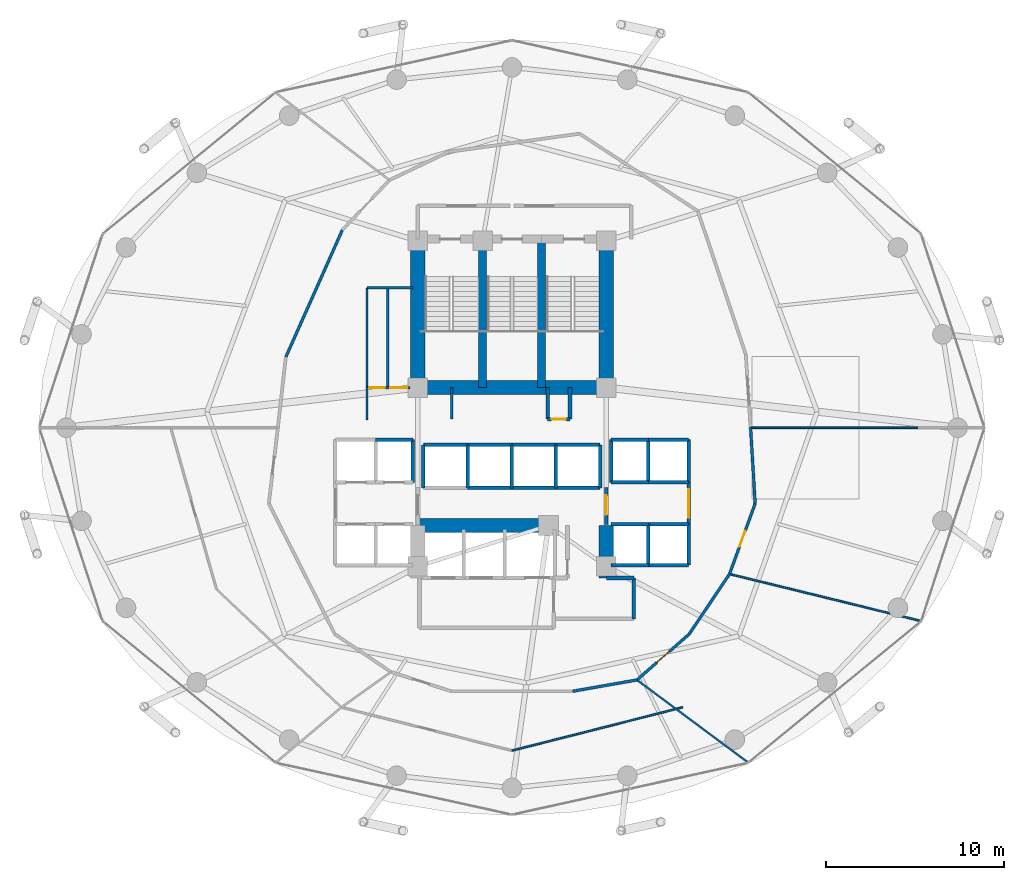
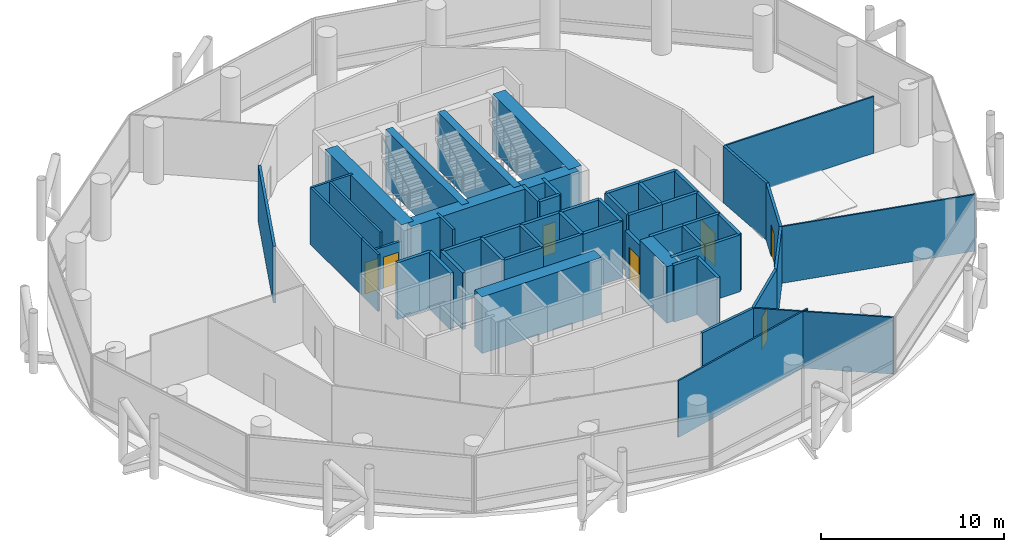
# One storey, part 22 of 24: 57 walls, 7 doors, 7 openings.
"""IFC4 building model written with IfcOpenShell, lengths in metres."""

from ifc_helpers import new_model, si_unit, direction, frame, frame_2d, origin, place, context, subcontext, project, spatial, rectangle, extrude, material, layer, layer_set, type_object, element, fill, save


model = new_model("IFC4")

# Units and contexts
model_context = context("Model", 3, precision=1e-05, world=origin(), true_north=direction((0.0, 1.0)))
body_context = subcontext(model_context, "Body", "Model", "MODEL_VIEW")
ifc_project = project(units=[si_unit("LENGTHUNIT", "METRE"), si_unit("AREAUNIT", "SQUARE_METRE"), si_unit("VOLUMEUNIT", "CUBIC_METRE"), si_unit("PLANEANGLEUNIT", "RADIAN"), si_unit("MASSUNIT", "GRAM", prefix="KILO")], contexts=[model_context])

# Site, building, storey
site_placement = place(None, origin())
site = spatial("IfcSite", under=ifc_project, at=site_placement, CompositionType="ELEMENT")
building_placement = place(site_placement, origin())
building = spatial("IfcBuilding", under=site, at=building_placement, Name="Nuhasar Tower", CompositionType="ELEMENT")
storey_placement = place(building_placement, frame((0.0, 0.0, 37.199951171875)))
storey = spatial("IfcBuildingStorey", under=building, at=storey_placement, Name="L08", CompositionType="ELEMENT", Elevation=37.199951171875)

# Walls
ifc_material_1 = material(Name="Concrete C50/60", Category="concrete")
ifc_layer_1 = layer(ifc_material_1, 0.449951171875)
ifc_layer_set_1 = layer_set([ifc_layer_1], Name="Concrete C50/60")
wall_type_1 = type_object("IfcWallType", Name="WL-CORE-450", PredefinedType="SHEAR", material=ifc_layer_set_1)
for number, where, z_axis, x_axis, name in (
    (1, (37.35009765625, 29.050048828125, 0.0), (0.0, 0.0, 1.0), (0.0, 1.0, 0.0), "L08 Stairwell Shear Wall ST01-E"),
    (2, (40.64990234375, 29.050048828125, 0.0), (0.0, 0.0, 1.0), (0.0, 1.0, 0.0), "L08 Stairwell Shear Wall ST03-E"),
):
    element("IfcWall", number, at=place(storey_placement, frame(where, z_axis=z_axis, x_axis=x_axis)), inside=storey, type_object=wall_type_1, Name=name, PredefinedType="SHEAR", context=body_context, shape_type="SweptSolid", body=[
        extrude(rectangle(XDim=8.349853515625, YDim=0.449951171875, at=frame_2d((4.1748046875, 0.0))), origin(), (0.0, 0.0, 1.0), 3.7900390625),
    ])
ifc_material_2 = material(Name="Concrete C80/95", Category="concrete")
ifc_layer_2 = layer(ifc_material_2, 0.800048828125)
ifc_layer_set_2 = layer_set([ifc_layer_2], Name="Concrete C80/95")
wall_type_2 = type_object("IfcWallType", Name="WL-CORE-800", PredefinedType="SHEAR", material=ifc_layer_set_2)
for number, where, z_axis, x_axis, name in (
    (3, (33.699951171875, 29.050048828125, 0.0), (0.0, 0.0, 1.0), (0.0, 1.0, 0.0), "L08 Core Shear Wall CW-NW CW-800"),
    (4, (44.300048828125, 29.050048828125, 0.0), (0.0, 0.0, 1.0), (0.0, 1.0, 0.0), "L08 Core Shear Wall CW-NE CW-800"),
):
    element("IfcWall", number, at=place(storey_placement, frame(where, z_axis=z_axis, x_axis=x_axis)), inside=storey, type_object=wall_type_2, Name=name, PredefinedType="SHEAR", context=body_context, shape_type="SweptSolid", body=[
        extrude(rectangle(XDim=8.349853515625, YDim=0.800048828125, at=frame_2d((4.1748046875, 0.0))), origin(), (0.0, 0.0, 1.0), 3.7900390625),
    ])
wall_1_placement = place(storey_placement, frame((44.300048828125, 18.35009765625, 0.0), z_axis=(0.0, 0.0, 1.0), x_axis=(0.0, 1.0, 0.0)))
element("IfcWall", 5, at=wall_1_placement, inside=storey, type_object=wall_type_2, Name="L08 Core Shear Wall CW-SE CW-800", PredefinedType="SHEAR", context=body_context, shape_type="SweptSolid", body=[
    extrude(rectangle(XDim=2.949951171875, YDim=0.800048828125, at=frame_2d((1.47509765625, 0.0))), origin(), (0.0, 0.0, 1.0), 3.7900390625),
])
wall_2_placement = place(storey_placement, frame((33.699951171875, 29.050048828125, 0.0), z_axis=(0.0, 0.0, 1.0), x_axis=(1.0, 0.0, 0.0)))
element("IfcWall", 6, at=wall_2_placement, inside=storey, type_object=wall_type_2, Name="L08 Core Shear Wall CW-N1 CW-800", PredefinedType="SHEAR", context=body_context, shape_type="SweptSolid", body=[
    extrude(rectangle(XDim=10.60009765625, YDim=0.800048828125, at=frame_2d((5.300048828125, 0.0))), origin(), (0.0, 0.0, 1.0), 3.7900390625),
])
wall_3_placement = place(storey_placement, frame((33.699951171875, 21.300048828125, 0.0), z_axis=(0.0, 0.0, 1.0), x_axis=(1.0, 0.0, 0.0)))
element("IfcWall", 7, at=wall_3_placement, inside=storey, type_object=wall_type_2, Name="L08 Core Shear Wall CW-S1 CW-800", PredefinedType="SHEAR", context=body_context, shape_type="SweptSolid", body=[
    extrude(rectangle(XDim=7.550048828125, YDim=0.800048828125, at=frame_2d((3.77490234375, 0.0))), origin(), (0.0, 0.0, 1.0), 3.7900390625),
])
ifc_material_3 = material(Name="Gypsum Board", Category="gypsum")
ifc_layer_3 = layer(ifc_material_3, 0.159912109375)
ifc_layer_set_3 = layer_set([ifc_layer_3], Name="Gypsum Board")
wall_type_3 = type_object("IfcWallType", Name="WL-CORR-160", PredefinedType="PARTITIONING", material=ifc_layer_set_3)
wall_4_placement = place(storey_placement, frame((29.466064453125, 37.9130859375, 0.0), z_axis=(0.0, 0.0, 1.0), x_axis=(-0.406489021754, -0.913655665551, 0.0)))
element("IfcWall", 8, at=wall_4_placement, inside=storey, type_object=wall_type_3, Name="L08 Interior Partition CORR-18", PredefinedType="PARTITIONING", context=body_context, shape_type="SweptSolid", body=[
    extrude(rectangle(XDim=7.818115234375, YDim=0.159912109375, at=frame_2d((3.9091796875, 0.0))), origin(), (0.0, 0.0, 1.0), 3.7900390625),
])
wall_5_placement = place(storey_placement, frame((42.406005859375, 11.98291015625, 0.0), z_axis=(0.0, 0.0, 1.0), x_axis=(0.98489842452, 0.173133166602, 0.0)))
element("IfcWall", 9, at=wall_5_placement, inside=storey, type_object=wall_type_3, Name="L08 Interior Partition CORR-38", PredefinedType="PARTITIONING", context=body_context, shape_type="SweptSolid", body=[
    extrude(rectangle(XDim=3.67333984375, YDim=0.159912109375, at=frame_2d((1.836669921875, 0.0))), origin(), (0.0, 0.0, 1.0), 3.7900390625),
])

# Wall, opening, door
wall_6_placement = place(storey_placement, frame((48.95703125, 15.194091796875, 0.0), z_axis=(0.0, 0.0, 1.0), x_axis=(-0.751467454478, -0.659770160632, 0.0)))
wall_6 = element("IfcWall", 10, at=wall_6_placement, inside=storey, type_object=wall_type_3, Name="L08 Interior Partition CORR-40", PredefinedType="PARTITIONING", context=body_context, shape_type="SweptSolid", body=[
    extrude(rectangle(XDim=3.903076171875, YDim=0.159912109375, at=frame_2d((1.95166015625, 0.0))), origin(), (0.0, 0.0, 1.0), 3.7900390625),
])
opening_1_placement = place(wall_6_placement, frame((1.47607421875, 0.0, 0.0)))
opening_1 = element("IfcOpeningElement", 11, at=opening_1_placement, cuts=wall_6, Name="Opening DO-01", PredefinedType="OPENING", context=body_context, shape_type="SweptSolid", body=[
    extrude(rectangle(XDim=0.949951171875, YDim=2.14990234375, at=frame_2d((0.47509765625, 1.074951171875))), frame((0.0, 0.08984375, 0.0), z_axis=(0.0, -1.0, 0.0), x_axis=(1.0, 0.0, 0.0)), (0.0, 0.0, 1.0), 0.179931640625),
])
ifc_material_4 = material(Name="Timber Oak", Category="wood")
door_type_1 = type_object("IfcDoorType", Name="DR-OFFICE-FD30-950", OperationType="NOTDEFINED", PredefinedType="DOOR", material=ifc_material_4)
door_1_placement = place(opening_1_placement, origin())
door_1 = element("IfcDoor", 12, at=door_1_placement, inside=storey, type_object=door_type_1, Name="L08 Executive Dining Pantry Entry Door", OperationType="SINGLE_SWING_LEFT", OverallHeight=2.14990234375, OverallWidth=0.949951171875, PredefinedType="DOOR", context=body_context, shape_type="SweptSolid", body=[
    extrude(rectangle(XDim=0.949951171875, YDim=2.14990234375, at=frame_2d((0.47509765625, 1.074951171875))), frame((0.0, 0.02490234375, 0.0), z_axis=(0.0, -1.0, 0.0), x_axis=(1.0, 0.0, 0.0)), (0.0, 0.0, 1.0), 0.050048828125),
])
fill(opening_1, door_1)

# Wall
wall_7_placement = place(storey_placement, frame((48.95703125, 15.194091796875, 0.0), z_axis=(0.0, 0.0, 1.0), x_axis=(0.557769650613, 0.829995793276, 0.0)))
element("IfcWall", 13, at=wall_7_placement, inside=storey, type_object=wall_type_3, Name="L08 Interior Partition CORR-42", PredefinedType="PARTITIONING", context=body_context, shape_type="SweptSolid", body=[
    extrude(rectangle(XDim=4.06982421875, YDim=0.159912109375, at=frame_2d((2.034912109375, 0.0))), origin(), (0.0, 0.0, 1.0), 3.7900390625),
])

# Wall, opening, door
wall_8_placement = place(storey_placement, frame((52.6669921875, 22.531982421875, 0.0), z_axis=(0.0, 0.0, 1.0), x_axis=(-0.341733758737, -0.939796806836, 0.0)))
wall_8 = element("IfcWall", 14, at=wall_8_placement, inside=storey, type_object=wall_type_3, Name="L08 Interior Partition CORR-44", PredefinedType="PARTITIONING", context=body_context, shape_type="SweptSolid", body=[
    extrude(rectangle(XDim=4.213623046875, YDim=0.159912109375, at=frame_2d((2.10693359375, 0.0))), origin(), (0.0, 0.0, 1.0), 3.7900390625),
])
opening_2_placement = place(wall_8_placement, frame((1.632080078125, 0.0, 0.0)))
opening_2 = element("IfcOpeningElement", 15, at=opening_2_placement, cuts=wall_8, Name="Opening DO-01", PredefinedType="OPENING", context=body_context, shape_type="SweptSolid", body=[
    extrude(rectangle(XDim=0.949951171875, YDim=2.14990234375, at=frame_2d((0.47509765625, 1.074951171875))), frame((0.0, 0.08984375, 0.0), z_axis=(0.0, -1.0, 0.0), x_axis=(1.0, 0.0, 0.0)), (0.0, 0.0, 1.0), 0.179931640625),
])
door_2_placement = place(opening_2_placement, origin())
door_2 = element("IfcDoor", 16, at=door_2_placement, inside=storey, type_object=door_type_1, Name="L08 Records Vault Store Entry Door", OperationType="SINGLE_SWING_LEFT", OverallHeight=2.14990234375, OverallWidth=0.949951171875, PredefinedType="DOOR", context=body_context, shape_type="SweptSolid", body=[
    extrude(rectangle(XDim=0.949951171875, YDim=2.14990234375, at=frame_2d((0.47509765625, 1.074951171875))), frame((0.0, 0.02490234375, 0.0), z_axis=(0.0, -1.0, 0.0), x_axis=(1.0, 0.0, 0.0)), (0.0, 0.0, 1.0), 0.050048828125),
])
fill(opening_2, door_2)

# Wall
wall_9_placement = place(storey_placement, frame((52.6669921875, 22.531982421875, 0.0), z_axis=(0.0, 0.0, 1.0), x_axis=(-0.060124414151, 0.998190890974, 0.0)))
element("IfcWall", 17, at=wall_9_placement, inside=storey, type_object=wall_type_3, Name="L08 Interior Partition CORR-46", PredefinedType="PARTITIONING", context=body_context, shape_type="SweptSolid", body=[
    extrude(rectangle(XDim=4.27587890625, YDim=0.159912109375, at=frame_2d((2.137939453125, 0.0))), origin(), (0.0, 0.0, 1.0), 3.7900390625),
])

# Wall, opening, door
ifc_material_5 = material(Name="Concrete C45/55", Category="concrete")
ifc_layer_4 = layer(ifc_material_5, 0.199951171875)
ifc_layer_set_4 = layer_set([ifc_layer_4], Name="Concrete C45/55")
wall_type_4 = type_object("IfcWallType", Name="WL-LOBBY-200", PredefinedType="SOLIDWALL", material=ifc_layer_set_4)
wall_10_placement = place(storey_placement, frame((48.929931640625, 21.3798828125, 0.0), z_axis=(0.0, 0.0, 1.0), x_axis=(0.0, 1.0, 0.0)))
wall_10 = element("IfcWall", 18, at=wall_10_placement, inside=storey, type_object=wall_type_4, Name="L08 Interior Partition LLBM-E", PredefinedType="SOLIDWALL", context=body_context, shape_type="SweptSolid", body=[
    extrude(rectangle(XDim=2.340087890625, YDim=0.199951171875, at=frame_2d((1.169921875, 0.0))), origin(), (0.0, 0.0, 1.0), 3.7900390625),
])
opening_3_placement = place(wall_10_placement, frame((0.3701171875, 0.0, 0.0)))
opening_3 = element("IfcOpeningElement", 19, at=opening_3_placement, cuts=wall_10, Name="Opening DC-01", PredefinedType="OPENING", context=body_context, shape_type="SweptSolid", body=[
    extrude(rectangle(XDim=1.60009765625, YDim=2.199951171875, at=frame_2d((0.800048828125, 1.10009765625))), frame((0.0, 0.10986328125, 0.0), z_axis=(0.0, -1.0, 0.0), x_axis=(1.0, 0.0, 0.0)), (0.0, 0.0, 1.0), 0.219970703125),
])
ifc_material_6 = material(Name="Steel S355", Category="steel")
door_type_2 = type_object("IfcDoorType", Name="DR-CORR-FD60-1600", OperationType="DOUBLE_DOOR_SINGLE_SWING", PredefinedType="DOOR", material=ifc_material_6)
door_3_placement = place(opening_3_placement, origin())
door_3 = element("IfcDoor", 20, at=door_3_placement, inside=storey, type_object=door_type_2, Name="L08 Mid-Rise Lift Lobby East Entry", OperationType="DOUBLE_DOOR_SINGLE_SWING", OverallHeight=2.199951171875, OverallWidth=1.60009765625, PredefinedType="DOOR", context=body_context, shape_type="SweptSolid", body=[
    extrude(rectangle(XDim=1.60009765625, YDim=2.199951171875, at=frame_2d((0.800048828125, 1.10009765625))), frame((0.0, 0.02490234375, 0.0), z_axis=(0.0, -1.0, 0.0), x_axis=(1.0, 0.0, 0.0)), (0.0, 0.0, 1.0), 0.050048828125),
])
fill(opening_3, door_3)

wall_11_placement = place(storey_placement, frame((44.300048828125, 21.35009765625, 0.0), z_axis=(0.0, 0.0, 1.0), x_axis=(0.0, 1.0, 0.0)))
wall_11 = element("IfcWall", 21, at=wall_11_placement, inside=storey, type_object=wall_type_4, Name="L08 Interior Partition LLBH-E", PredefinedType="SOLIDWALL", context=body_context, shape_type="SweptSolid", body=[
    extrude(rectangle(XDim=2.099853515625, YDim=0.199951171875, at=frame_2d((1.0498046875, 0.0))), origin(), (0.0, 0.0, 1.0), 3.010009765625),
])
opening_4_placement = place(wall_11_placement, frame((0.550048828125, 0.0, 0.0)))
opening_4 = element("IfcOpeningElement", 22, at=opening_4_placement, cuts=wall_11, Name="Opening DS-02", PredefinedType="OPENING", context=body_context, shape_type="SweptSolid", body=[
    extrude(rectangle(XDim=1.10009765625, YDim=2.14990234375, at=frame_2d((0.550048828125, 1.074951171875))), frame((0.0, 0.10986328125, 0.0), z_axis=(0.0, -1.0, 0.0), x_axis=(1.0, 0.0, 0.0)), (0.0, 0.0, 1.0), 0.219970703125),
])
door_type_3 = type_object("IfcDoorType", Name="DR-FFL-FD120-1100", OperationType="NOTDEFINED", PredefinedType="DOOR", material=ifc_material_6)
door_4_placement = place(opening_4_placement, origin())
door_4 = element("IfcDoor", 23, at=door_4_placement, inside=storey, type_object=door_type_3, Name="L08 High-Rise Lobby East Door", OperationType="SINGLE_SWING_RIGHT", OverallHeight=2.14990234375, OverallWidth=1.10009765625, PredefinedType="DOOR", context=body_context, shape_type="SweptSolid", body=[
    extrude(rectangle(XDim=1.10009765625, YDim=2.14990234375, at=frame_2d((0.550048828125, 1.074951171875))), frame((0.0, 0.02490234375, 0.0), z_axis=(0.0, -1.0, 0.0), x_axis=(1.0, 0.0, 0.0)), (0.0, 0.0, 1.0), 0.050048828125),
])
fill(opening_4, door_4)

# Walls
wall_12_placement = place(storey_placement, frame((45.85009765625, 16.050048828125, 0.0), z_axis=(0.0, 0.0, 1.0), x_axis=(0.0, 1.0, 0.0)))
element("IfcWall", 24, at=wall_12_placement, inside=storey, type_object=wall_type_4, Name="L08 Interior Partition SVLV-E", PredefinedType="SOLIDWALL", context=body_context, shape_type="SweptSolid", body=[
    extrude(rectangle(XDim=2.300048828125, YDim=0.199951171875, at=frame_2d((1.14990234375, 0.0))), origin(), (0.0, 0.0, 1.0), 3.7900390625),
])
wall_13_placement = place(storey_placement, frame((44.300048828125, 18.35009765625, 0.0), z_axis=(0.0, 0.0, 1.0), x_axis=(1.0, 0.0, 0.0)))
element("IfcWall", 25, at=wall_13_placement, inside=storey, type_object=wall_type_4, Name="L08 Interior Partition SVLV-N", PredefinedType="SOLIDWALL", context=body_context, shape_type="SweptSolid", body=[
    extrude(rectangle(XDim=1.550048828125, YDim=0.199951171875, at=frame_2d((0.77490234375, 0.0))), origin(), (0.0, 0.0, 1.0), 3.7900390625),
])
ifc_material_7 = material(Name="Aluminium 6063-T6", Category="aluminium")
ifc_layer_5 = layer(ifc_material_7, 0.10009765625)
ifc_layer_set_5 = layer_set([ifc_layer_5], Name="Aluminium 6063-T6")
wall_type_5 = type_object("IfcWallType", Name="WL-MOVABLE-100", PredefinedType="MOVABLE", material=ifc_layer_set_5)
wall_14_placement = place(storey_placement, frame((52.409912109375, 26.800048828125, 0.0), z_axis=(0.0, 0.0, 1.0), x_axis=(1.0, 0.0, 0.0)))
element("IfcWall", 26, at=wall_14_placement, inside=storey, type_object=wall_type_5, Name="L08 Interior Partition ORAD-00", PredefinedType="MOVABLE", context=body_context, shape_type="SweptSolid", body=[
    extrude(rectangle(XDim=9.43017578125, YDim=0.10009765625, at=frame_2d((4.715087890625, 0.0))), origin(), (0.0, 0.0, 1.0), 3.7900390625),
])
wall_15_placement = place(storey_placement, frame((39.0, 8.64794921875, 0.0), z_axis=(0.0, 0.0, 1.0), x_axis=(0.96932580987, 0.245779320368, 0.0)))
element("IfcWall", 27, at=wall_15_placement, inside=storey, type_object=wall_type_5, Name="L08 Interior Partition OMID-04-36", PredefinedType="MOVABLE", context=body_context, shape_type="SweptSolid", body=[
    extrude(rectangle(XDim=9.8955078125, YDim=0.10009765625, at=frame_2d((4.94775390625, 0.0))), origin(), (0.0, 0.0, 1.0), 3.7900390625),
])
wall_16_placement = place(storey_placement, frame((46.02392578125, 12.618896484375, 0.0), z_axis=(0.0, 0.0, 1.0), x_axis=(0.802859849019, -0.596167814322, 0.0)))
element("IfcWall", 28, at=wall_16_placement, inside=storey, type_object=wall_type_5, Name="L08 Interior Partition ORAD-40", PredefinedType="MOVABLE", context=body_context, shape_type="SweptSolid", body=[
    extrude(rectangle(XDim=7.77099609375, YDim=0.10009765625, at=frame_2d((3.885498046875, 0.0))), origin(), (0.0, 0.0, 1.0), 3.7900390625),
])
wall_17_placement = place(storey_placement, frame((51.22705078125, 18.572021484375, 0.0), z_axis=(0.0, 0.0, 1.0), x_axis=(0.971216816961, -0.238197175574, 0.0)))
element("IfcWall", 29, at=wall_17_placement, inside=storey, type_object=wall_type_5, Name="L08 Interior Partition ORAD-44", PredefinedType="MOVABLE", context=body_context, shape_type="SweptSolid", body=[
    extrude(rectangle(XDim=11.062255859375, YDim=0.10009765625, at=frame_2d((5.53125, 0.0))), origin(), (0.0, 0.0, 1.0), 3.7900390625),
])
ifc_layer_6 = layer(ifc_material_5, 0.199951171875)
ifc_layer_set_6 = layer_set([ifc_layer_6], Name="Concrete C45/55")
wall_type_6 = type_object("IfcWallType", Name="WL-SHAFT-200", PredefinedType="SOLIDWALL", material=ifc_layer_set_6)
for number, where, z_axis, x_axis, name in (
    (30, (41.0, 27.280029296875, 0.0), (0.0, 0.0, 1.0), (0.0, 1.0, 0.0), "L08 Interior Partition RSRN-W"),
    (31, (42.260009765625, 27.280029296875, 0.0), (0.0, 0.0, 1.0), (0.0, 1.0, 0.0), "L08 Interior Partition RSRN-E"),
):
    element("IfcWall", number, at=place(storey_placement, frame(where, z_axis=z_axis, x_axis=x_axis)), inside=storey, type_object=wall_type_6, Name=name, PredefinedType="SOLIDWALL", context=body_context, shape_type="SweptSolid", body=[
        extrude(rectangle(XDim=1.77001953125, YDim=0.199951171875, at=frame_2d((0.885009765625, 0.0))), origin(), (0.0, 0.0, 1.0), 3.7900390625),
    ])

# Wall, opening, door
wall_18_placement = place(storey_placement, frame((41.0, 27.280029296875, 0.0), z_axis=(0.0, 0.0, 1.0), x_axis=(1.0, 0.0, 0.0)))
wall_18 = element("IfcWall", 32, at=wall_18_placement, inside=storey, type_object=wall_type_6, Name="L08 Interior Partition RSRN-S", PredefinedType="SOLIDWALL", context=body_context, shape_type="SweptSolid", body=[
    extrude(rectangle(XDim=1.260009765625, YDim=0.199951171875, at=frame_2d((0.6298828125, 0.0))), origin(), (0.0, 0.0, 1.0), 3.7900390625),
])
opening_5_placement = place(wall_18_placement, frame((0.22998046875, 0.0, 0.0)))
opening_5 = element("IfcOpeningElement", 33, at=opening_5_placement, cuts=wall_18, Name="Opening DM-01", PredefinedType="OPENING", context=body_context, shape_type="SweptSolid", body=[
    extrude(rectangle(XDim=0.800048828125, YDim=2.050048828125, at=frame_2d((0.39990234375, 1.02490234375))), frame((0.0, 0.10986328125, 0.0), z_axis=(0.0, -1.0, 0.0), x_axis=(1.0, 0.0, 0.0)), (0.0, 0.0, 1.0), 0.219970703125),
])
door_type_4 = type_object("IfcDoorType", Name="DR-RISER-FD60-800", OperationType="NOTDEFINED", PredefinedType="DOOR", material=ifc_material_6)
door_5_placement = place(opening_5_placement, origin())
door_5 = element("IfcDoor", 34, at=door_5_placement, inside=storey, type_object=door_type_4, Name="L08 North Smoke Riser Door", OperationType="SINGLE_SWING_RIGHT", OverallHeight=2.050048828125, OverallWidth=0.800048828125, PredefinedType="DOOR", context=body_context, shape_type="SweptSolid", body=[
    extrude(rectangle(XDim=0.800048828125, YDim=2.050048828125, at=frame_2d((0.39990234375, 1.02490234375))), frame((0.0, 0.02490234375, 0.0), z_axis=(0.0, -1.0, 0.0), x_axis=(1.0, 0.0, 0.0)), (0.0, 0.0, 1.0), 0.050048828125),
])
fill(opening_5, door_5)

# Walls
wall_19_placement = place(storey_placement, frame((31.320068359375, 26.1298828125, 0.0), z_axis=(0.0, 0.0, 1.0), x_axis=(1.0, 0.0, 0.0)))
element("IfcWall", 35, at=wall_19_placement, inside=storey, type_object=wall_type_6, Name="L08 Interior Partition SHF-PL-L02-N", PredefinedType="SOLIDWALL", context=body_context, shape_type="SweptSolid", body=[
    extrude(rectangle(XDim=2.10986328125, YDim=0.199951171875, at=frame_2d((1.054931640625, 0.0))), origin(), (0.0, 0.0, 1.0), 3.7900390625),
])
wall_20_placement = place(storey_placement, frame((33.429931640625, 23.719970703125, 0.0), z_axis=(0.0, 0.0, 1.0), x_axis=(0.0, 1.0, 0.0)))
element("IfcWall", 36, at=wall_20_placement, inside=storey, type_object=wall_type_6, Name="L08 Interior Partition SHF-PL-L02-E", PredefinedType="SOLIDWALL", context=body_context, shape_type="SweptSolid", body=[
    extrude(rectangle(XDim=2.409912109375, YDim=0.199951171875, at=frame_2d((1.205078125, 0.0))), origin(), (0.0, 0.0, 1.0), 3.7900390625),
])
for number, where, z_axis, x_axis, name in (
    (37, (44.570068359375, 23.719970703125, 0.0), (0.0, 0.0, 1.0), (1.0, 0.0, 0.0), "L08 Interior Partition SHF-PL-M01-S"),
    (38, (44.570068359375, 26.1298828125, 0.0), (0.0, 0.0, 1.0), (1.0, 0.0, 0.0), "L08 Interior Partition SHF-PL-M01-N"),
):
    element("IfcWall", number, at=place(storey_placement, frame(where, z_axis=z_axis, x_axis=x_axis)), inside=storey, type_object=wall_type_6, Name=name, PredefinedType="SOLIDWALL", context=body_context, shape_type="SweptSolid", body=[
        extrude(rectangle(XDim=2.10986328125, YDim=0.199951171875, at=frame_2d((1.054931640625, 0.0))), origin(), (0.0, 0.0, 1.0), 3.7900390625),
    ])
for number, where, z_axis, x_axis, name in (
    (39, (44.570068359375, 23.719970703125, 0.0), (0.0, 0.0, 1.0), (0.0, 1.0, 0.0), "L08 Interior Partition SHF-PL-M01-W"),
    (40, (46.64990234375, 23.719970703125, 0.0), (0.0, 0.0, 1.0), (0.0, 1.0, 0.0), "L08 Interior Partition SHF-PL-M01-E"),
):
    element("IfcWall", number, at=place(storey_placement, frame(where, z_axis=z_axis, x_axis=x_axis)), inside=storey, type_object=wall_type_6, Name=name, PredefinedType="SOLIDWALL", context=body_context, shape_type="SweptSolid", body=[
        extrude(rectangle(XDim=2.409912109375, YDim=0.199951171875, at=frame_2d((1.205078125, 0.0))), origin(), (0.0, 0.0, 1.0), 3.7900390625),
    ])
for number, where, z_axis, x_axis, name in (
    (41, (46.6201171875, 23.719970703125, 0.0), (0.0, 0.0, 1.0), (1.0, 0.0, 0.0), "L08 Interior Partition SHF-PL-M02-S"),
    (42, (46.6201171875, 26.1298828125, 0.0), (0.0, 0.0, 1.0), (1.0, 0.0, 0.0), "L08 Interior Partition SHF-PL-M02-N"),
):
    element("IfcWall", number, at=place(storey_placement, frame(where, z_axis=z_axis, x_axis=x_axis)), inside=storey, type_object=wall_type_6, Name=name, PredefinedType="SOLIDWALL", context=body_context, shape_type="SweptSolid", body=[
        extrude(rectangle(XDim=2.309814453125, YDim=0.199951171875, at=frame_2d((1.15478515625, 0.0))), origin(), (0.0, 0.0, 1.0), 3.7900390625),
    ])
wall_21_placement = place(storey_placement, frame((48.929931640625, 23.719970703125, 0.0), z_axis=(0.0, 0.0, 1.0), x_axis=(0.0, 1.0, 0.0)))
element("IfcWall", 43, at=wall_21_placement, inside=storey, type_object=wall_type_6, Name="L08 Interior Partition SHF-PL-M02-E", PredefinedType="SOLIDWALL", context=body_context, shape_type="SweptSolid", body=[
    extrude(rectangle(XDim=2.409912109375, YDim=0.199951171875, at=frame_2d((1.205078125, 0.0))), origin(), (0.0, 0.0, 1.0), 3.7900390625),
])
for number, where, z_axis, x_axis, name in (
    (44, (44.570068359375, 19.070068359375, 0.0), (0.0, 0.0, 1.0), (1.0, 0.0, 0.0), "L08 Interior Partition SHF-PL-M03-S"),
    (45, (44.570068359375, 21.3798828125, 0.0), (0.0, 0.0, 1.0), (1.0, 0.0, 0.0), "L08 Interior Partition SHF-PL-M03-N"),
):
    element("IfcWall", number, at=place(storey_placement, frame(where, z_axis=z_axis, x_axis=x_axis)), inside=storey, type_object=wall_type_6, Name=name, PredefinedType="SOLIDWALL", context=body_context, shape_type="SweptSolid", body=[
        extrude(rectangle(XDim=2.10986328125, YDim=0.199951171875, at=frame_2d((1.054931640625, 0.0))), origin(), (0.0, 0.0, 1.0), 3.7900390625),
    ])
for number, where, z_axis, x_axis, name in (
    (46, (46.64990234375, 19.070068359375, 0.0), (0.0, 0.0, 1.0), (0.0, 1.0, 0.0), "L08 Interior Partition SHF-PL-M03-E"),
    (47, (46.6201171875, 19.070068359375, 0.0), (0.0, 0.0, 1.0), (1.0, 0.0, 0.0), "L08 Interior Partition SHF-PL-M04-S"),
    (48, (46.6201171875, 21.3798828125, 0.0), (0.0, 0.0, 1.0), (1.0, 0.0, 0.0), "L08 Interior Partition SHF-PL-M04-N"),
    (49, (48.929931640625, 19.070068359375, 0.0), (0.0, 0.0, 1.0), (0.0, 1.0, 0.0), "L08 Interior Partition SHF-PL-M04-E"),
):
    element("IfcWall", number, at=place(storey_placement, frame(where, z_axis=z_axis, x_axis=x_axis)), inside=storey, type_object=wall_type_6, Name=name, PredefinedType="SOLIDWALL", context=body_context, shape_type="SweptSolid", body=[
        extrude(rectangle(XDim=2.309814453125, YDim=0.199951171875, at=frame_2d((1.15478515625, 0.0))), origin(), (0.0, 0.0, 1.0), 3.7900390625),
    ])
wall_22_placement = place(storey_placement, frame((34.02001953125, 25.830078125, 0.0), z_axis=(0.0, 0.0, 1.0), x_axis=(1.0, 0.0, 0.0)))
element("IfcWall", 50, at=wall_22_placement, inside=storey, type_object=wall_type_6, Name="L08 Interior Partition SHF-PL-H01-N", PredefinedType="SOLIDWALL", context=body_context, shape_type="SweptSolid", body=[
    extrude(rectangle(XDim=2.5, YDim=0.199951171875, at=frame_2d((1.25, 0.0))), origin(), (0.0, 0.0, 1.0), 3.7900390625),
])
for number, where, z_axis, x_axis, name in (
    (51, (34.02001953125, 23.419921875, 0.0), (0.0, 0.0, 1.0), (0.0, 1.0, 0.0), "L08 Interior Partition SHF-PL-H01-W"),
    (52, (36.510009765625, 23.419921875, 0.0), (0.0, 0.0, 1.0), (0.0, 1.0, 0.0), "L08 Interior Partition SHF-PL-H01-E"),
):
    element("IfcWall", number, at=place(storey_placement, frame(where, z_axis=z_axis, x_axis=x_axis)), inside=storey, type_object=wall_type_6, Name=name, PredefinedType="SOLIDWALL", context=body_context, shape_type="SweptSolid", body=[
        extrude(rectangle(XDim=2.41015625, YDim=0.199951171875, at=frame_2d((1.205078125, 0.0))), origin(), (0.0, 0.0, 1.0), 3.7900390625),
    ])
for number, where, z_axis, x_axis, name in (
    (53, (36.5, 23.419921875, 0.0), (0.0, 0.0, 1.0), (1.0, 0.0, 0.0), "L08 Interior Partition SHF-PL-H02-S"),
    (54, (36.5, 25.830078125, 0.0), (0.0, 0.0, 1.0), (1.0, 0.0, 0.0), "L08 Interior Partition SHF-PL-H02-N"),
):
    element("IfcWall", number, at=place(storey_placement, frame(where, z_axis=z_axis, x_axis=x_axis)), inside=storey, type_object=wall_type_6, Name=name, PredefinedType="SOLIDWALL", context=body_context, shape_type="SweptSolid", body=[
        extrude(rectangle(XDim=2.5, YDim=0.199951171875, at=frame_2d((1.25, 0.0))), origin(), (0.0, 0.0, 1.0), 3.7900390625),
    ])
wall_23_placement = place(storey_placement, frame((38.989990234375, 23.419921875, 0.0), z_axis=(0.0, 0.0, 1.0), x_axis=(0.0, 1.0, 0.0)))
element("IfcWall", 55, at=wall_23_placement, inside=storey, type_object=wall_type_6, Name="L08 Interior Partition SHF-PL-H02-E", PredefinedType="SOLIDWALL", context=body_context, shape_type="SweptSolid", body=[
    extrude(rectangle(XDim=2.41015625, YDim=0.199951171875, at=frame_2d((1.205078125, 0.0))), origin(), (0.0, 0.0, 1.0), 3.7900390625),
])
for number, where, z_axis, x_axis, name in (
    (56, (38.97998046875, 23.419921875, 0.0), (0.0, 0.0, 1.0), (1.0, 0.0, 0.0), "L08 Interior Partition SHF-PL-H03-S"),
    (57, (38.97998046875, 25.830078125, 0.0), (0.0, 0.0, 1.0), (1.0, 0.0, 0.0), "L08 Interior Partition SHF-PL-H03-N"),
):
    element("IfcWall", number, at=place(storey_placement, frame(where, z_axis=z_axis, x_axis=x_axis)), inside=storey, type_object=wall_type_6, Name=name, PredefinedType="SOLIDWALL", context=body_context, shape_type="SweptSolid", body=[
        extrude(rectangle(XDim=2.5, YDim=0.199951171875, at=frame_2d((1.25, 0.0))), origin(), (0.0, 0.0, 1.0), 3.7900390625),
    ])
wall_24_placement = place(storey_placement, frame((41.469970703125, 23.419921875, 0.0), z_axis=(0.0, 0.0, 1.0), x_axis=(0.0, 1.0, 0.0)))
element("IfcWall", 58, at=wall_24_placement, inside=storey, type_object=wall_type_6, Name="L08 Interior Partition SHF-PL-H03-E", PredefinedType="SOLIDWALL", context=body_context, shape_type="SweptSolid", body=[
    extrude(rectangle(XDim=2.41015625, YDim=0.199951171875, at=frame_2d((1.205078125, 0.0))), origin(), (0.0, 0.0, 1.0), 3.7900390625),
])
for number, where, z_axis, x_axis, name in (
    (59, (41.4599609375, 23.419921875, 0.0), (0.0, 0.0, 1.0), (1.0, 0.0, 0.0), "L08 Interior Partition SHF-PL-H04-S"),
    (60, (41.4599609375, 25.830078125, 0.0), (0.0, 0.0, 1.0), (1.0, 0.0, 0.0), "L08 Interior Partition SHF-PL-H04-N"),
):
    element("IfcWall", number, at=place(storey_placement, frame(where, z_axis=z_axis, x_axis=x_axis)), inside=storey, type_object=wall_type_6, Name=name, PredefinedType="SOLIDWALL", context=body_context, shape_type="SweptSolid", body=[
        extrude(rectangle(XDim=2.5, YDim=0.199951171875, at=frame_2d((1.25, 0.0))), origin(), (0.0, 0.0, 1.0), 3.7900390625),
    ])
wall_25_placement = place(storey_placement, frame((43.9599609375, 23.419921875, 0.0), z_axis=(0.0, 0.0, 1.0), x_axis=(0.0, 1.0, 0.0)))
element("IfcWall", 61, at=wall_25_placement, inside=storey, type_object=wall_type_6, Name="L08 Interior Partition SHF-PL-H04-E", PredefinedType="SOLIDWALL", context=body_context, shape_type="SweptSolid", body=[
    extrude(rectangle(XDim=2.41015625, YDim=0.199951171875, at=frame_2d((1.205078125, 0.0))), origin(), (0.0, 0.0, 1.0), 3.7900390625),
])
ifc_material_8 = material(Name="Concrete C40/50 precast", Category="concrete")
ifc_layer_7 = layer(ifc_material_8, 0.139892578125)
ifc_layer_set_7 = layer_set([ifc_layer_7], Name="Concrete C40/50 precast")
wall_type_7 = type_object("IfcWallType", Name="WL-WET-140", PredefinedType="PARTITIONING", material=ifc_layer_set_7)
wall_26_placement = place(storey_placement, frame((35.60009765625, 27.280029296875, 0.0), z_axis=(0.0, 0.0, 1.0), x_axis=(0.0, 1.0, 0.0)))
element("IfcWall", 62, at=wall_26_placement, inside=storey, type_object=wall_type_7, Name="L08 Interior Partition CSVC-W", PredefinedType="PARTITIONING", context=body_context, shape_type="SweptSolid", body=[
    extrude(rectangle(XDim=1.77001953125, YDim=0.139892578125, at=frame_2d((0.885009765625, 0.0))), origin(), (0.0, 0.0, 1.0), 3.7900390625),
])
wall_27_placement = place(storey_placement, frame((30.85009765625, 27.239990234375, 0.0), z_axis=(0.0, 0.0, 1.0), x_axis=(0.0, 1.0, 0.0)))
element("IfcWall", 63, at=wall_27_placement, inside=storey, type_object=wall_type_7, Name="L08 Interior Partition K2-FOY-W", PredefinedType="PARTITIONING", context=body_context, shape_type="SweptSolid", body=[
    extrude(rectangle(XDim=1.81005859375, YDim=0.139892578125, at=frame_2d((0.905029296875, 0.0))), origin(), (0.0, 0.0, 1.0), 3.7900390625),
])

# Wall, openings, doors
wall_28_placement = place(storey_placement, frame((30.85009765625, 29.050048828125, 0.0), z_axis=(0.0, 0.0, 1.0), x_axis=(1.0, 0.0, 0.0)))
wall_28 = element("IfcWall", 64, at=wall_28_placement, inside=storey, type_object=wall_type_7, Name="L08 Interior Partition K2-NW-S", PredefinedType="PARTITIONING", context=body_context, shape_type="SweptSolid", body=[
    extrude(rectangle(XDim=2.429931640625, YDim=0.139892578125, at=frame_2d((1.21484375, 0.0))), origin(), (0.0, 0.0, 1.0), 2.780029296875),
])
opening_6_placement = place(wall_28_placement, frame((0.139892578125, 0.0, 0.0)))
opening_6 = element("IfcOpeningElement", 65, at=opening_6_placement, cuts=wall_28, Name="Opening DB-01", PredefinedType="OPENING", context=body_context, shape_type="SweptSolid", body=[
    extrude(rectangle(XDim=0.85009765625, YDim=2.10009765625, at=frame_2d((0.425048828125, 1.050048828125))), frame((0.0, 0.080078125, 0.0), z_axis=(0.0, -1.0, 0.0), x_axis=(1.0, 0.0, 0.0)), (0.0, 0.0, 1.0), 0.159912109375),
])
opening_7_placement = place(wall_28_placement, frame((1.300048828125, 0.0, 0.0)))
opening_7 = element("IfcOpeningElement", 66, at=opening_7_placement, cuts=wall_28, Name="Opening DA-01", PredefinedType="OPENING", context=body_context, shape_type="SweptSolid", body=[
    extrude(rectangle(XDim=0.949951171875, YDim=2.10009765625, at=frame_2d((0.47509765625, 1.050048828125))), frame((0.0, 0.080078125, 0.0), z_axis=(0.0, -1.0, 0.0), x_axis=(1.0, 0.0, 0.0)), (0.0, 0.0, 1.0), 0.159912109375),
])
door_type_5 = type_object("IfcDoorType", Name="DR-ACCWC-950", OperationType="NOTDEFINED", PredefinedType="DOOR", material=ifc_material_4)
door_6_placement = place(opening_7_placement, origin())
door_6 = element("IfcDoor", 67, at=door_6_placement, inside=storey, type_object=door_type_5, Name="L08 NW Accessible WC Door", OperationType="SINGLE_SWING_RIGHT", OverallHeight=2.10009765625, OverallWidth=0.949951171875, PredefinedType="DOOR", context=body_context, shape_type="SweptSolid", body=[
    extrude(rectangle(XDim=0.949951171875, YDim=2.10009765625, at=frame_2d((0.47509765625, 1.050048828125))), frame((0.0, 0.02490234375, 0.0), z_axis=(0.0, -1.0, 0.0), x_axis=(1.0, 0.0, 0.0)), (0.0, 0.0, 1.0), 0.050048828125),
])
fill(opening_7, door_6)
door_type_6 = type_object("IfcDoorType", Name="DR-BATH-850", OperationType="NOTDEFINED", PredefinedType="DOOR", material=ifc_material_4)
door_7_placement = place(opening_6_placement, origin())
door_7 = element("IfcDoor", 68, at=door_7_placement, inside=storey, type_object=door_type_6, Name="L08 NW Female WC Door", OperationType="SINGLE_SWING_LEFT", OverallHeight=2.10009765625, OverallWidth=0.85009765625, PredefinedType="DOOR", context=body_context, shape_type="SweptSolid", body=[
    extrude(rectangle(XDim=0.85009765625, YDim=2.10009765625, at=frame_2d((0.425048828125, 1.050048828125))), frame((0.0, 0.02490234375, 0.0), z_axis=(0.0, -1.0, 0.0), x_axis=(1.0, 0.0, 0.0)), (0.0, 0.0, 1.0), 0.050048828125),
])
fill(opening_6, door_7)

# Walls
wall_29_placement = place(storey_placement, frame((32.02001953125, 29.050048828125, 0.0), z_axis=(0.0, 0.0, 1.0), x_axis=(0.0, 1.0, 0.0)))
element("IfcWall", 69, at=wall_29_placement, inside=storey, type_object=wall_type_7, Name="L08 Interior Partition K2-NW-V", PredefinedType="PARTITIONING", context=body_context, shape_type="SweptSolid", body=[
    extrude(rectangle(XDim=5.599853515625, YDim=0.139892578125, at=frame_2d((2.7998046875, 0.0))), origin(), (0.0, 0.0, 1.0), 3.7900390625),
])
wall_30_placement = place(storey_placement, frame((30.85009765625, 34.64990234375, 0.0), z_axis=(0.0, 0.0, 1.0), x_axis=(1.0, 0.0, 0.0)))
element("IfcWall", 70, at=wall_30_placement, inside=storey, type_object=wall_type_7, Name="L08 Interior Partition K2-NW-N", PredefinedType="PARTITIONING", context=body_context, shape_type="SweptSolid", body=[
    extrude(rectangle(XDim=2.599853515625, YDim=0.139892578125, at=frame_2d((1.2998046875, 0.0))), origin(), (0.0, 0.0, 1.0), 3.7900390625),
])
wall_31_placement = place(storey_placement, frame((30.85009765625, 29.050048828125, 0.0), z_axis=(0.0, 0.0, 1.0), x_axis=(0.0, 1.0, 0.0)))
element("IfcWall", 71, at=wall_31_placement, inside=storey, type_object=wall_type_7, Name="L08 Interior Partition K2-NW-W", PredefinedType="PARTITIONING", context=body_context, shape_type="SweptSolid", body=[
    extrude(rectangle(XDim=5.599853515625, YDim=0.139892578125, at=frame_2d((2.7998046875, 0.0))), origin(), (0.0, 0.0, 1.0), 3.7900390625),
])

save(model, "model.ifc")
